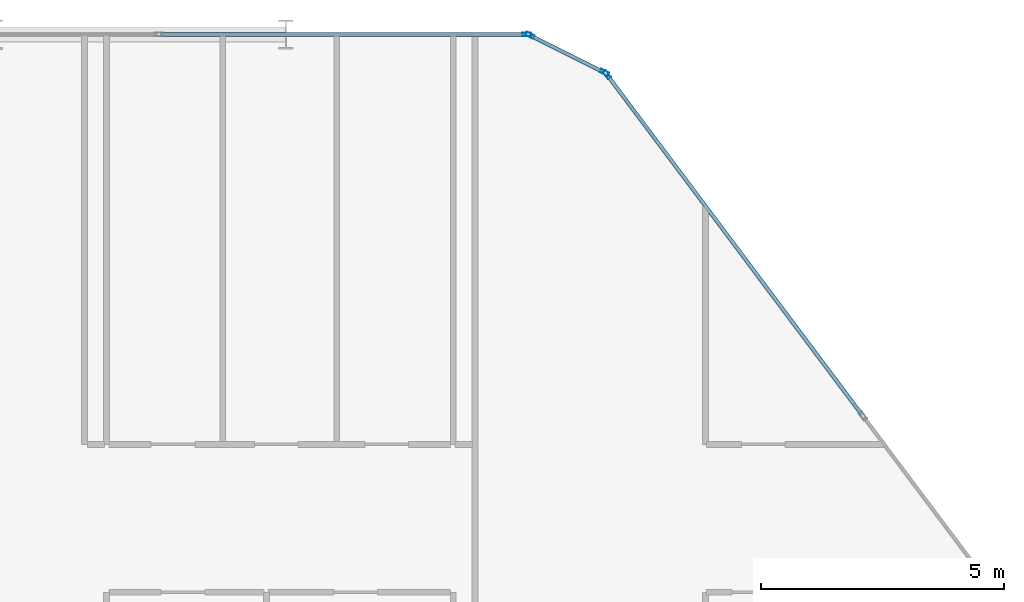
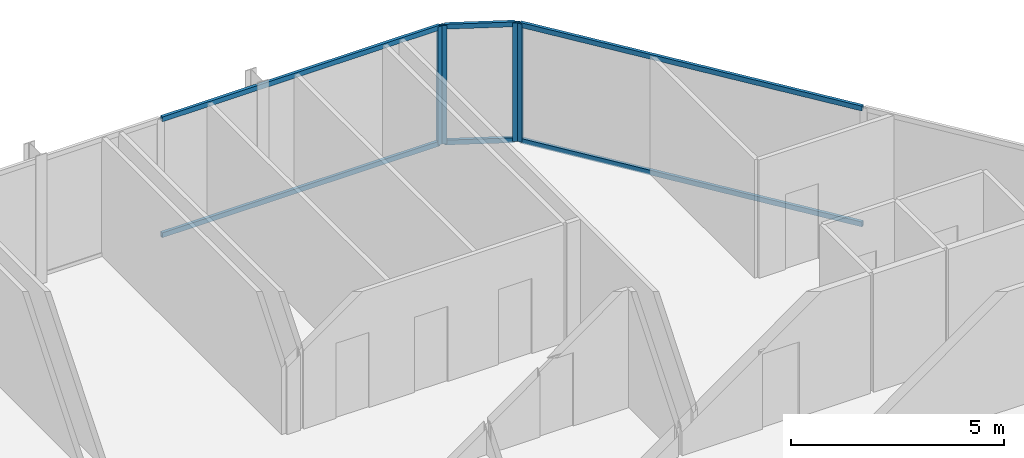
# One storey, part 20 of 29: 10 members, 3 elements without a shape of their own.
"""IFC4 building model written with IfcOpenShell, lengths in metres."""

from ifc_helpers import new_model, si_unit, direction, frame, origin, origin_2d, place, context, subcontext, project, spatial, hollow_rectangle, extrude, material, layer, layer_set, material_profile, profile_set, type_object, element, aggregate, save


model = new_model("IFC4")

# Units and contexts
model_context = context("Model", 3, precision=1e-05, world=origin(), true_north=direction((0.0, 1.0)))
body_context = subcontext(model_context, "Body", "Model", "MODEL_VIEW")
ifc_project = project(units=[si_unit("LENGTHUNIT", "METRE"), si_unit("AREAUNIT", "SQUARE_METRE"), si_unit("VOLUMEUNIT", "CUBIC_METRE"), si_unit("PLANEANGLEUNIT", "RADIAN"), si_unit("MASSUNIT", "GRAM", prefix="KILO")], contexts=[model_context])

# Site, building, storey
site_placement = place(None, origin())
site = spatial("IfcSite", under=ifc_project, at=site_placement, CompositionType="ELEMENT")
building_placement = place(site_placement, origin())
building = spatial("IfcBuilding", under=site, at=building_placement, Name="Keshet Zoharim Tower", CompositionType="ELEMENT")
storey_placement = place(building_placement, frame((0.0, 0.0, 105.699951171875)))
storey = spatial("IfcBuildingStorey", under=building, at=storey_placement, Name="L25", CompositionType="ELEMENT", Elevation=105.699951171875)

# Curtain wall, member
ifc_material = material(Name="Aluminium 6063-T6", Category="aluminium")
ifc_layer = layer(ifc_material, 0.159912109375)
ifc_layer_set = layer_set([ifc_layer], Name="Aluminium 6063-T6")
curtain_wall_type = type_object("IfcCurtainWallType", Name="CW-SYS-03", PredefinedType="NOTDEFINED", material=ifc_layer_set)
curtain_wall_1_placement = place(storey_placement, origin())
curtain_wall_1 = element("IfcCurtainWall", 1, at=curtain_wall_1_placement, inside=storey, type_object=curtain_wall_type, Name="L25 Unitised Curtain Wall 13 Part 5", PredefinedType="NOTDEFINED")
ifc_material_profile_1 = material_profile(ifc_material, hollow_rectangle(XDim=0.080078125, YDim=0.179931640625, WallThickness=0.00439453125, at=origin_2d()), Name="MUL-80x180")
ifc_profile_set_1 = profile_set([ifc_material_profile_1], Name="Aluminium 6063-T6")
member_type_1 = type_object("IfcMemberType", Name="CWM-M18", PredefinedType="MULLION", material=ifc_profile_set_1)
member_1_placement = place(storey_placement, frame((49.965087890625, 53.89990234375, 0.0), z_axis=(0.0, 0.0, 1.0), x_axis=(0.0, 1.0, 0.0)))
member_1 = element("IfcMember", 2, at=member_1_placement, type_object=member_type_1, Name="CW-03 mullion 3", PredefinedType="MULLION", context=body_context, shape_type="SweptSolid", body=[
    extrude(hollow_rectangle(XDim=0.080078125, YDim=0.179931640625, WallThickness=0.00439453125, at=origin_2d()), origin(), (0.0, 0.0, 1.0), 3.385009765625),
])

# Curtain wall, members
curtain_wall_2_placement = place(storey_placement, origin())
curtain_wall_2 = element("IfcCurtainWall", 3, at=curtain_wall_2_placement, inside=storey, type_object=curtain_wall_type, Name="L25 Unitised Curtain Wall 14", PredefinedType="NOTDEFINED")
member_2_placement = place(storey_placement, frame((50.03125, 53.88427734375, 0.0), z_axis=(0.0, 0.0, 1.0), x_axis=(0.447213595499, 0.894427191001, 0.0)))
member_2 = element("IfcMember", 4, at=member_2_placement, type_object=member_type_1, Name="CW-03 mullion 1", PredefinedType="MULLION", context=body_context, shape_type="SweptSolid", body=[
    extrude(hollow_rectangle(XDim=0.080078125, YDim=0.179931640625, WallThickness=0.00439453125, at=origin_2d()), origin(), (0.0, 0.0, 1.0), 3.385009765625),
])
member_3_placement = place(storey_placement, frame((51.568603515625, 53.11572265625, 0.0), z_axis=(0.0, 0.0, 1.0), x_axis=(0.447213595499, 0.894427191001, 0.0)))
member_3 = element("IfcMember", 5, at=member_3_placement, type_object=member_type_1, Name="CW-03 mullion 2", PredefinedType="MULLION", context=body_context, shape_type="SweptSolid", body=[
    extrude(hollow_rectangle(XDim=0.080078125, YDim=0.179931640625, WallThickness=0.00439453125, at=origin_2d()), origin(), (0.0, 0.0, 1.0), 3.385009765625),
])

# Curtain wall, member
curtain_wall_3_placement = place(storey_placement, origin())
curtain_wall_3 = element("IfcCurtainWall", 6, at=curtain_wall_3_placement, inside=storey, type_object=curtain_wall_type, Name="L25 Unitised Curtain Wall 15", PredefinedType="NOTDEFINED")
member_4_placement = place(storey_placement, frame((51.62109375, 53.072021484375, 0.0), z_axis=(0.0, 0.0, 1.0), x_axis=(0.799999999998, 0.600000000002, 0.0)))
member_4 = element("IfcMember", 7, at=member_4_placement, type_object=member_type_1, Name="CW-03 mullion 1", PredefinedType="MULLION", context=body_context, shape_type="SweptSolid", body=[
    extrude(hollow_rectangle(XDim=0.080078125, YDim=0.179931640625, WallThickness=0.00439453125, at=origin_2d()), origin(), (0.0, 0.0, 1.0), 3.385009765625),
])

# Member
ifc_material_profile_2 = material_profile(ifc_material, hollow_rectangle(XDim=0.080078125, YDim=0.139892578125, WallThickness=0.00390625, at=origin_2d()), Name="TRN-80x140")
ifc_profile_set_2 = profile_set([ifc_material_profile_2], Name="Aluminium 6063-T6")
member_type_2 = type_object("IfcMemberType", Name="CWT-T14", PredefinedType="USERDEFINED", material=ifc_profile_set_2)
member_5_placement = place(storey_placement, frame((42.416259765625, 53.89990234375, 0.03515625), z_axis=(1.0, 0.0, 0.0), x_axis=(0.0, 1.0, 0.0)))
member_5 = element("IfcMember", 8, at=member_5_placement, type_object=member_type_2, Name="CW-03 transom 2.1", ObjectType="TRANSOM", PredefinedType="USERDEFINED", context=body_context, shape_type="SweptSolid", body=[
    extrude(hollow_rectangle(XDim=0.080078125, YDim=0.139892578125, WallThickness=0.00390625, at=origin_2d()), origin(), (0.0, 0.0, 1.0), 7.513671875),
])

member_6_placement = place(storey_placement, frame((42.416259765625, 53.89990234375, 3.35009765625), z_axis=(1.0, 0.0, 0.0), x_axis=(0.0, 1.0, 0.0)))
member_6 = element("IfcMember", 9, at=member_6_placement, type_object=member_type_2, Name="CW-03 transom 2.2", ObjectType="TRANSOM", PredefinedType="USERDEFINED", context=body_context, shape_type="SweptSolid", body=[
    extrude(hollow_rectangle(XDim=0.080078125, YDim=0.139892578125, WallThickness=0.00390625, at=origin_2d()), origin(), (0.0, 0.0, 1.0), 7.513671875),
])

aggregate(curtain_wall_1, [member_1, member_5, member_6])

member_7_placement = place(storey_placement, frame((50.0625, 53.86865234375, 0.03515625), z_axis=(0.894456801911, -0.447154368775, 0.0), x_axis=(0.447154368775, 0.894456801911, 0.0)))
member_7 = element("IfcMember", 10, at=member_7_placement, type_object=member_type_2, Name="CW-03 transom 1.1", ObjectType="TRANSOM", PredefinedType="USERDEFINED", context=body_context, shape_type="SweptSolid", body=[
    extrude(hollow_rectangle(XDim=0.080078125, YDim=0.139892578125, WallThickness=0.00390625, at=origin_2d()), origin(), (0.0, 0.0, 1.0), 1.64892578125),
])

member_8_placement = place(storey_placement, frame((50.0625, 53.86865234375, 3.35009765625), z_axis=(0.894456801911, -0.447154368775, 0.0), x_axis=(0.447154368775, 0.894456801911, 0.0)))
member_8 = element("IfcMember", 11, at=member_8_placement, type_object=member_type_2, Name="CW-03 transom 1.2", ObjectType="TRANSOM", PredefinedType="USERDEFINED", context=body_context, shape_type="SweptSolid", body=[
    extrude(hollow_rectangle(XDim=0.080078125, YDim=0.139892578125, WallThickness=0.00390625, at=origin_2d()), origin(), (0.0, 0.0, 1.0), 1.64892578125),
])

aggregate(curtain_wall_2, [member_2, member_3, member_7, member_8])

member_9_placement = place(storey_placement, frame((51.64208984375, 53.0439453125, 0.03515625), z_axis=(0.599991043201, -0.800006717521, 0.0), x_axis=(0.800006717521, 0.599991043201, 0.0)))
member_9 = element("IfcMember", 12, at=member_9_placement, type_object=member_type_2, Name="CW-03 transom 1.1", ObjectType="TRANSOM", PredefinedType="USERDEFINED", context=body_context, shape_type="SweptSolid", body=[
    extrude(hollow_rectangle(XDim=0.080078125, YDim=0.139892578125, WallThickness=0.00390625, at=origin_2d()), origin(), (0.0, 0.0, 1.0), 8.722412109375),
])

member_10_placement = place(storey_placement, frame((51.64208984375, 53.0439453125, 3.35009765625), z_axis=(0.599991043201, -0.800006717521, 0.0), x_axis=(0.800006717521, 0.599991043201, 0.0)))
member_10 = element("IfcMember", 13, at=member_10_placement, type_object=member_type_2, Name="CW-03 transom 1.2", ObjectType="TRANSOM", PredefinedType="USERDEFINED", context=body_context, shape_type="SweptSolid", body=[
    extrude(hollow_rectangle(XDim=0.080078125, YDim=0.139892578125, WallThickness=0.00390625, at=origin_2d()), origin(), (0.0, 0.0, 1.0), 8.722412109375),
])

aggregate(curtain_wall_3, [member_4, member_9, member_10])

save(model, "model.ifc")
